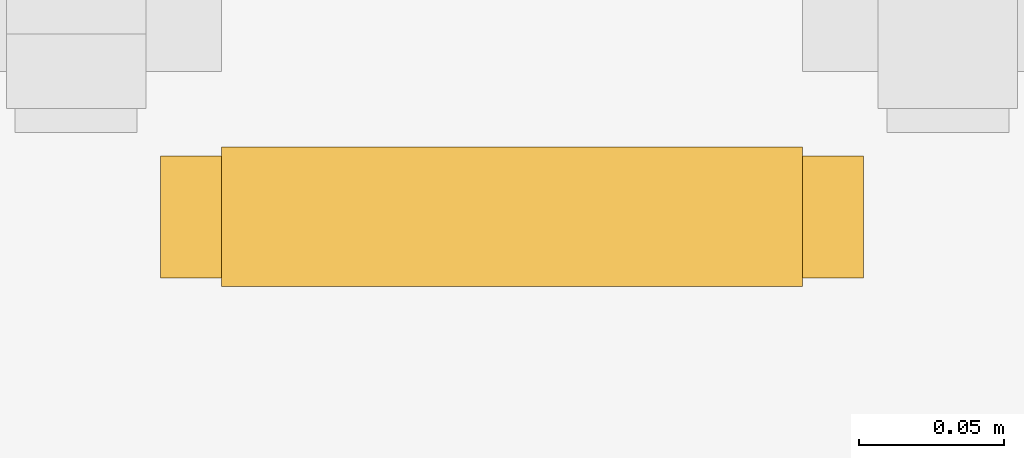
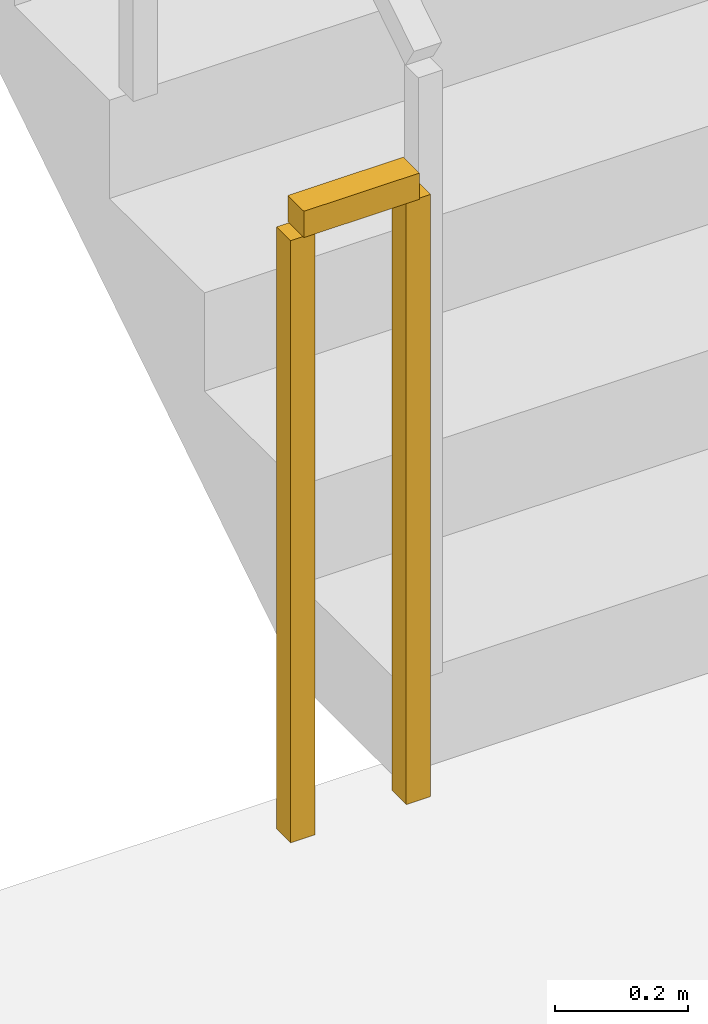
# One storey, part 22 of 24: 1 railing.
"""IFC4 building model written with IfcOpenShell, lengths in metres."""

from ifc_helpers import new_model, si_unit, direction, frame, origin, origin_2d, place, context, subcontext, project, spatial, rectangle, extrude, material, type_object, element, save


model = new_model("IFC4")

# Units and contexts
model_context = context("Model", 3, precision=1e-05, world=origin(), true_north=direction((0.0, 1.0)))
body_context = subcontext(model_context, "Body", "Model", "MODEL_VIEW")
ifc_project = project(units=[si_unit("LENGTHUNIT", "METRE"), si_unit("AREAUNIT", "SQUARE_METRE"), si_unit("VOLUMEUNIT", "CUBIC_METRE"), si_unit("PLANEANGLEUNIT", "RADIAN"), si_unit("MASSUNIT", "GRAM", prefix="KILO")], contexts=[model_context])

# Site, building, storey
site_placement = place(None, origin())
site = spatial("IfcSite", under=ifc_project, at=site_placement, CompositionType="ELEMENT")
building_placement = place(site_placement, origin())
building = spatial("IfcBuilding", under=site, at=building_placement, Name="Sarneth Arch Tower", CompositionType="ELEMENT")
storey_placement = place(building_placement, frame((0.0, 0.0, 102.0)))
storey = spatial("IfcBuildingStorey", under=building, at=storey_placement, Name="L25", CompositionType="ELEMENT", Elevation=102.0)

# Railing
ifc_material = material(Name="Painted Steel S275 stair well guard", Category="steel")
railing_type = type_object("IfcRailingType", Name="RAIL-STAIR-GUARD", PredefinedType="GUARDRAIL", material=ifc_material)
railing_placement = place(storey_placement, frame((39.050048828125, 41.39990234375, 0.0)))
element("IfcRailing", 1, at=railing_placement, inside=storey, type_object=railing_type, Name="L25 ST-1 stair guard 4", PredefinedType="GUARDRAIL", context=body_context, shape_type="SweptSolid", body=[
    extrude(rectangle(XDim=0.048095703125, YDim=0.048095703125, at=origin_2d()), frame((0.0, 0.0, 1.1259765625), z_axis=(-1.0, 0.0, 0.0), x_axis=(0.0, -1.0, 0.0)), (0.0, 0.0, 1.0), 0.199951171875),
    extrude(rectangle(XDim=0.0419921875, YDim=0.0419921875, at=origin_2d()), origin(), (0.0, 0.0, 1.0), 1.101806640625),
    extrude(rectangle(XDim=0.0419921875, YDim=0.0419921875, at=origin_2d()), frame((-0.199951171875, 0.0, 0.0)), (0.0, 0.0, 1.0), 1.101806640625),
])

save(model, "model.ifc")
